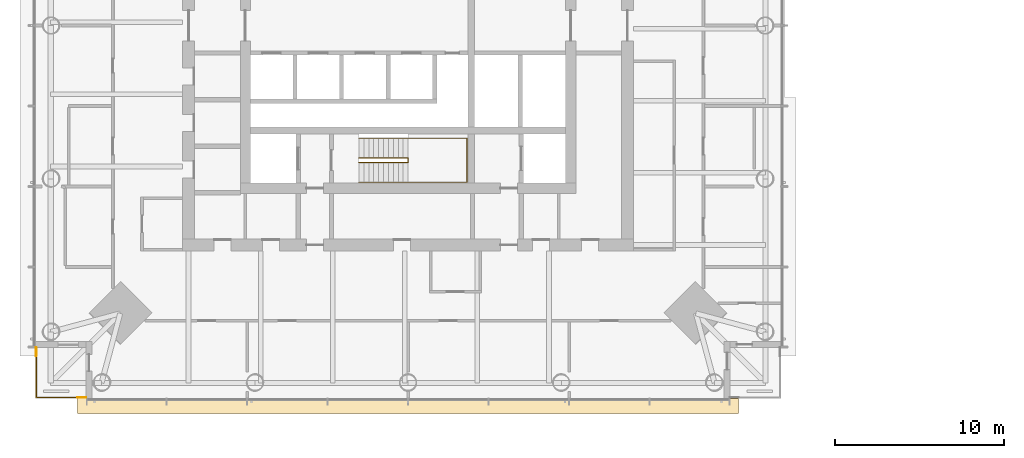
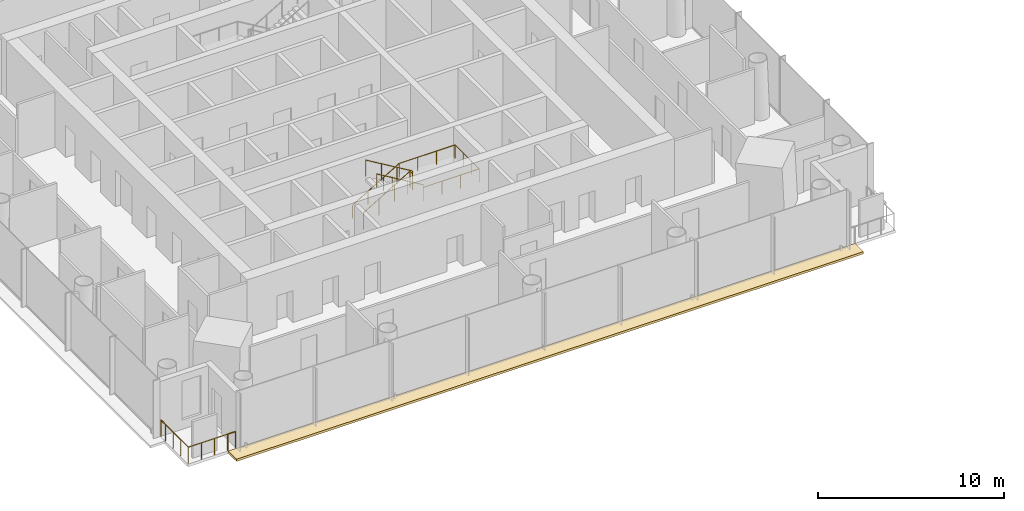
# One storey, part 23 of 27: 5 railings, 1 covering.
"""IFC4 building model written with IfcOpenShell, lengths in metres."""

from ifc_helpers import new_model, si_unit, direction, frame, origin, origin_2d, place, context, subcontext, project, spatial, polyline, circle, outline, extrude, material, layer, layer_set, type_object, element, save


model = new_model("IFC4")

# Units and contexts
model_context = context("Model", 3, precision=1e-05, world=origin(), true_north=direction((0.0, 1.0)))
body_context = subcontext(model_context, "Body", "Model", "MODEL_VIEW")
ifc_project = project(units=[si_unit("LENGTHUNIT", "METRE"), si_unit("AREAUNIT", "SQUARE_METRE"), si_unit("VOLUMEUNIT", "CUBIC_METRE"), si_unit("PLANEANGLEUNIT", "RADIAN"), si_unit("MASSUNIT", "GRAM", prefix="KILO")], contexts=[model_context])

# Site, building, storey
site_placement = place(None, origin())
site = spatial("IfcSite", under=ifc_project, at=site_placement, CompositionType="ELEMENT")
building_placement = place(site_placement, origin())
building = spatial("IfcBuilding", under=site, at=building_placement, Name="Ostroluk Exchange", CompositionType="ELEMENT")
storey_placement = place(building_placement, frame((0.0, 0.0, 112.199951171875)))
storey = spatial("IfcBuildingStorey", under=building, at=storey_placement, Name="L28", CompositionType="ELEMENT", Elevation=112.199951171875)

# Railings
ifc_material_1 = material(Name="Stainless steel", Category="steel")
railing_type_1 = type_object("IfcRailingType", Name="Guard 1100 stainless steel", PredefinedType="GUARDRAIL", material=ifc_material_1)
railing_1_placement = place(storey_placement, frame((25.5, 24.050048828125, 0.0)))
element("IfcRailing", 1, at=railing_1_placement, inside=storey, type_object=railing_type_1, Name="Office tower SW balcony guard L28", PredefinedType="GUARDRAIL", context=body_context, shape_type="SweptSolid", body=[
    extrude(circle(Radius=0.02392578125, at=origin_2d()), frame((0.0, 0.0, 1.076171875), z_axis=(-1.0, 0.0, 0.0), x_axis=(0.0, -1.0, 0.0)), (0.0, 0.0, 1.0), 2.449951171875),
    extrude(circle(Radius=0.02392578125, at=origin_2d()), frame((-2.449951171875, 0.0, 1.076171875), z_axis=(0.0, 1.0, 0.0), x_axis=(-1.0, 0.0, 0.0)), (0.0, 0.0, 1.0), 2.449951171875),
    extrude(circle(Radius=0.02099609375, at=origin_2d()), origin(), (0.0, 0.0, 1.0), 1.052001953125),
    extrude(circle(Radius=0.02099609375, at=origin_2d()), frame((-0.816650390625, 0.0, 0.0)), (0.0, 0.0, 1.0), 1.052001953125),
    extrude(circle(Radius=0.02099609375, at=origin_2d()), frame((-1.63330078125, 0.0, 0.0)), (0.0, 0.0, 1.0), 1.052001953125),
    extrude(circle(Radius=0.02099609375, at=origin_2d()), frame((-2.449951171875, 0.0, 0.0)), (0.0, 0.0, 1.0), 1.052001953125),
    extrude(circle(Radius=0.02099609375, at=origin_2d()), frame((-2.449951171875, 0.816650390625, 0.0)), (0.0, 0.0, 1.0), 1.052001953125),
    extrude(circle(Radius=0.02099609375, at=origin_2d()), frame((-2.449951171875, 1.63330078125, 0.0)), (0.0, 0.0, 1.0), 1.052001953125),
    extrude(circle(Radius=0.02099609375, at=origin_2d()), frame((-2.449951171875, 2.449951171875, 0.0)), (0.0, 0.0, 1.0), 1.052001953125),
])
ifc_material_2 = material(Name="Stainless steel", Category="steel")
railing_type_2 = type_object("IfcRailingType", Name="Lockable maintenance gate 1100", PredefinedType="GUARDRAIL", material=ifc_material_2)
railing_2_placement = place(storey_placement, frame((26.0, 24.050048828125, 0.0)))
element("IfcRailing", 2, at=railing_2_placement, inside=storey, type_object=railing_type_2, Name="Lockable maintenance gate T1 L28 SW", PredefinedType="GUARDRAIL", context=body_context, shape_type="SweptSolid", body=[
    extrude(circle(Radius=0.02392578125, at=origin_2d()), frame((0.0, 0.0, 1.076171875), z_axis=(-1.0, 0.0, 0.0), x_axis=(0.0, -1.0, 0.0)), (0.0, 0.0, 1.0), 0.5),
    extrude(circle(Radius=0.02099609375, at=origin_2d()), origin(), (0.0, 0.0, 1.0), 1.052001953125),
    extrude(circle(Radius=0.02099609375, at=origin_2d()), frame((-0.5, 0.0, 0.0)), (0.0, 0.0, 1.0), 1.052001953125),
])
railing_3_placement = place(storey_placement, frame((23.050048828125, 26.5, 0.0)))
element("IfcRailing", 3, at=railing_3_placement, inside=storey, type_object=railing_type_2, Name="Lockable maintenance gate T1 L28 SW", PredefinedType="GUARDRAIL", context=body_context, shape_type="SweptSolid", body=[
    extrude(circle(Radius=0.02392578125, at=origin_2d()), frame((0.0, 0.0, 1.076171875), z_axis=(0.0, 1.0, 0.0), x_axis=(-1.0, 0.0, 0.0)), (0.0, 0.0, 1.0), 0.5),
    extrude(circle(Radius=0.02099609375, at=origin_2d()), origin(), (0.0, 0.0, 1.0), 1.052001953125),
    extrude(circle(Radius=0.02099609375, at=origin_2d()), frame((0.0, 0.5, 0.0)), (0.0, 0.0, 1.0), 1.052001953125),
])

# Covering
ifc_material_3 = material(Name="Insulated steel roof deck with membrane, laid to falls, aluminium coping", Category="steel")
ifc_layer = layer(ifc_material_3, 0.14990234375)
ifc_layer_set = layer_set([ifc_layer], Name="Setback maintenance roof")
covering_type = type_object("IfcCoveringType", Name="Setback maintenance roof", PredefinedType="ROOFING", material=ifc_layer_set)
covering_placement = place(storey_placement, frame((0.0, 0.0, -0.14990234375)))
element("IfcCovering", 4, at=covering_placement, inside=storey, type_object=covering_type, Name="Maintenance roof, setback L28 south", PredefinedType="ROOFING", context=body_context, shape_type="SweptSolid", body=[
    extrude(outline(polyline([(25.5, 24.0), (64.5, 24.0), (64.5, 23.10009765625), (25.5, 23.10009765625), (25.5, 24.0)])), origin(), (0.0, 0.0, 1.0), 0.14990234375),
])

# Railings
ifc_material_4 = material(Name="Steel S355", Category="steel")
railing_type_3 = type_object("IfcRailingType", Name="Stair guard 1100", PredefinedType="GUARDRAIL", material=ifc_material_4)
railing_4_placement = place(storey_placement, frame((42.10009765625, 38.179931640625, 0.1728515625)))
element("IfcRailing", 5, at=railing_4_placement, inside=storey, type_object=railing_type_3, Name="Stair T1-S1 guard L28", PredefinedType="GUARDRAIL", context=body_context, shape_type="SweptSolid", body=[
    extrude(circle(Radius=0.02392578125, at=origin_2d()), frame((0.0, 0.0, 1.076171875), z_axis=(0.859141464434, 0.0, 0.511738159696), x_axis=(0.0, 1.0, 0.0)), (0.0, 0.0, 1.0), 3.375244140625),
    extrude(circle(Radius=0.02392578125, at=origin_2d()), frame((2.89990234375, 0.0, 2.80322265625), z_axis=(0.0, -1.0, 0.0), x_axis=(1.0, 0.0, 0.0)), (0.0, 0.0, 1.0), 0.260009765625),
    extrude(circle(Radius=0.02392578125, at=origin_2d()), frame((2.89990234375, -0.260009765625, 2.80322265625), z_axis=(0.0, 0.0, 1.0), x_axis=(1.0, 0.0, 0.0)), (0.0, 0.0, 1.0), 0.172607421875),
    extrude(circle(Radius=0.02392578125, at=origin_2d()), frame((2.89990234375, -0.260009765625, 2.97607421875), z_axis=(-0.859141464434, 0.0, 0.511738159696), x_axis=(0.0, -1.0, 0.0)), (0.0, 0.0, 1.0), 3.375244140625),
    extrude(circle(Radius=0.02099609375, at=origin_2d()), origin(), (0.0, 0.0, 1.0), 1.052001953125),
    extrude(circle(Radius=0.02099609375, at=origin_2d()), frame((0.966552734375, 0.0, 0.57568359375)), (0.0, 0.0, 1.0), 1.052001953125),
    extrude(circle(Radius=0.02099609375, at=origin_2d()), frame((1.933349609375, 0.0, 1.151611328125)), (0.0, 0.0, 1.0), 1.052001953125),
    extrude(circle(Radius=0.02099609375, at=origin_2d()), frame((2.89990234375, 0.0, 1.727294921875)), (0.0, 0.0, 1.0), 1.052001953125),
    extrude(circle(Radius=0.02099609375, at=origin_2d()), frame((2.89990234375, -0.260009765625, 1.727294921875)), (0.0, 0.0, 1.0), 1.052001953125),
    extrude(circle(Radius=0.02099609375, at=origin_2d()), frame((2.89990234375, -0.260009765625, 1.89990234375)), (0.0, 0.0, 1.0), 1.052001953125),
    extrude(circle(Radius=0.02099609375, at=origin_2d()), frame((1.933349609375, -0.260009765625, 2.4755859375)), (0.0, 0.0, 1.0), 1.052001953125),
    extrude(circle(Radius=0.02099609375, at=origin_2d()), frame((0.966552734375, -0.260009765625, 3.051513671875)), (0.0, 0.0, 1.0), 1.052001953125),
    extrude(circle(Radius=0.02099609375, at=origin_2d()), frame((0.0, -0.260009765625, 3.627197265625)), (0.0, 0.0, 1.0), 1.052001953125),
])
ifc_material_5 = material(Name="Stainless steel", Category="steel")
railing_type_4 = type_object("IfcRailingType", Name="Stair handrail 900", PredefinedType="HANDRAIL", material=ifc_material_5)
railing_5_placement = place(storey_placement, frame((42.10009765625, 39.35009765625, 0.1728515625)))
element("IfcRailing", 6, at=railing_5_placement, inside=storey, type_object=railing_type_4, Name="Stair T1-S1 handrail L28", PredefinedType="HANDRAIL", context=body_context, shape_type="SweptSolid", body=[
    extrude(circle(Radius=0.02392578125, at=origin_2d()), frame((0.0, 0.0, 0.8759765625), z_axis=(0.859141464434, 0.0, 0.511738159696), x_axis=(0.0, 1.0, 0.0)), (0.0, 0.0, 1.0), 3.375244140625),
    extrude(circle(Radius=0.02392578125, at=origin_2d()), frame((2.89990234375, 0.0, 2.60302734375), z_axis=(1.0, 0.0, 0.0), x_axis=(0.0, 1.0, 0.0)), (0.0, 0.0, 1.0), 3.47998046875),
    extrude(circle(Radius=0.02392578125, at=origin_2d()), frame((6.3798828125, 0.0, 2.60302734375), z_axis=(0.0, -1.0, 0.0), x_axis=(1.0, 0.0, 0.0)), (0.0, 0.0, 1.0), 2.60009765625),
    extrude(circle(Radius=0.02392578125, at=origin_2d()), frame((6.3798828125, -2.60009765625, 2.60302734375), z_axis=(-1.0, 0.0, 0.0), x_axis=(0.0, -1.0, 0.0)), (0.0, 0.0, 1.0), 3.47998046875),
    extrude(circle(Radius=0.02392578125, at=origin_2d()), frame((2.89990234375, -2.60009765625, 2.60302734375), z_axis=(0.0, 0.0, 1.0), x_axis=(1.0, 0.0, 0.0)), (0.0, 0.0, 1.0), 0.172607421875),
    extrude(circle(Radius=0.02392578125, at=origin_2d()), frame((2.89990234375, -2.60009765625, 2.77587890625), z_axis=(-0.859141464434, 0.0, 0.511738159696), x_axis=(0.0, -1.0, 0.0)), (0.0, 0.0, 1.0), 3.375244140625),
    extrude(circle(Radius=0.02099609375, at=origin_2d()), origin(), (0.0, 0.0, 1.0), 0.851806640625),
    extrude(circle(Radius=0.02099609375, at=origin_2d()), frame((0.966552734375, 0.0, 0.57568359375)), (0.0, 0.0, 1.0), 0.851806640625),
    extrude(circle(Radius=0.02099609375, at=origin_2d()), frame((1.933349609375, 0.0, 1.151611328125)), (0.0, 0.0, 1.0), 0.851806640625),
    extrude(circle(Radius=0.02099609375, at=origin_2d()), frame((2.89990234375, 0.0, 1.727294921875)), (0.0, 0.0, 1.0), 0.851806640625),
    extrude(circle(Radius=0.02099609375, at=origin_2d()), frame((4.059814453125, 0.0, 1.727294921875)), (0.0, 0.0, 1.0), 0.851806640625),
    extrude(circle(Radius=0.02099609375, at=origin_2d()), frame((5.219970703125, 0.0, 1.727294921875)), (0.0, 0.0, 1.0), 0.851806640625),
    extrude(circle(Radius=0.02099609375, at=origin_2d()), frame((6.3798828125, 0.0, 1.727294921875)), (0.0, 0.0, 1.0), 0.851806640625),
    extrude(circle(Radius=0.02099609375, at=origin_2d()), frame((6.3798828125, -0.86669921875, 1.727294921875)), (0.0, 0.0, 1.0), 0.851806640625),
    extrude(circle(Radius=0.02099609375, at=origin_2d()), frame((6.3798828125, -1.7333984375, 1.727294921875)), (0.0, 0.0, 1.0), 0.851806640625),
    extrude(circle(Radius=0.02099609375, at=origin_2d()), frame((6.3798828125, -2.60009765625, 1.727294921875)), (0.0, 0.0, 1.0), 0.851806640625),
    extrude(circle(Radius=0.02099609375, at=origin_2d()), frame((5.219970703125, -2.60009765625, 1.727294921875)), (0.0, 0.0, 1.0), 0.851806640625),
    extrude(circle(Radius=0.02099609375, at=origin_2d()), frame((4.059814453125, -2.60009765625, 1.727294921875)), (0.0, 0.0, 1.0), 0.851806640625),
    extrude(circle(Radius=0.02099609375, at=origin_2d()), frame((2.89990234375, -2.60009765625, 1.727294921875)), (0.0, 0.0, 1.0), 0.851806640625),
    extrude(circle(Radius=0.02099609375, at=origin_2d()), frame((2.89990234375, -2.60009765625, 1.89990234375)), (0.0, 0.0, 1.0), 0.851806640625),
    extrude(circle(Radius=0.02099609375, at=origin_2d()), frame((1.933349609375, -2.60009765625, 2.4755859375)), (0.0, 0.0, 1.0), 0.851806640625),
    extrude(circle(Radius=0.02099609375, at=origin_2d()), frame((0.966552734375, -2.60009765625, 3.051513671875)), (0.0, 0.0, 1.0), 0.851806640625),
    extrude(circle(Radius=0.02099609375, at=origin_2d()), frame((0.0, -2.60009765625, 3.627197265625)), (0.0, 0.0, 1.0), 0.851806640625),
])

save(model, "model.ifc")
